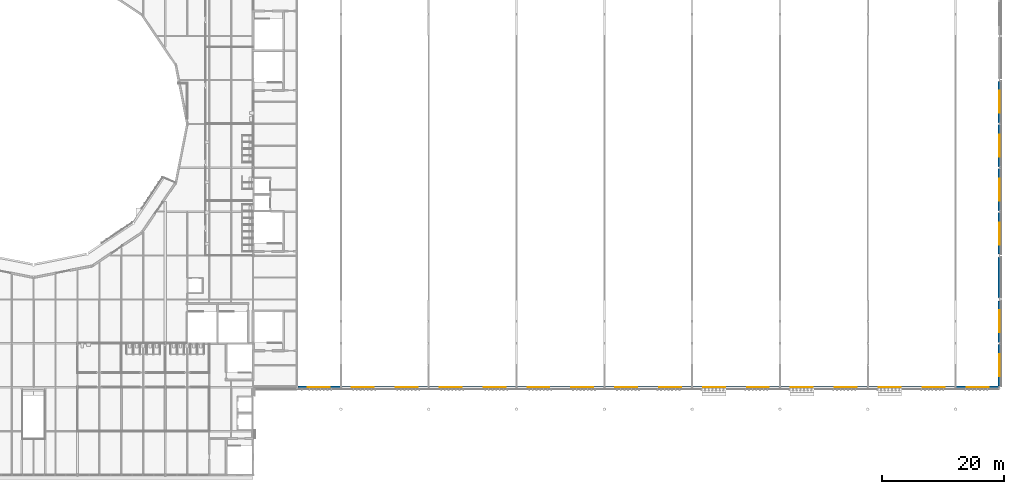
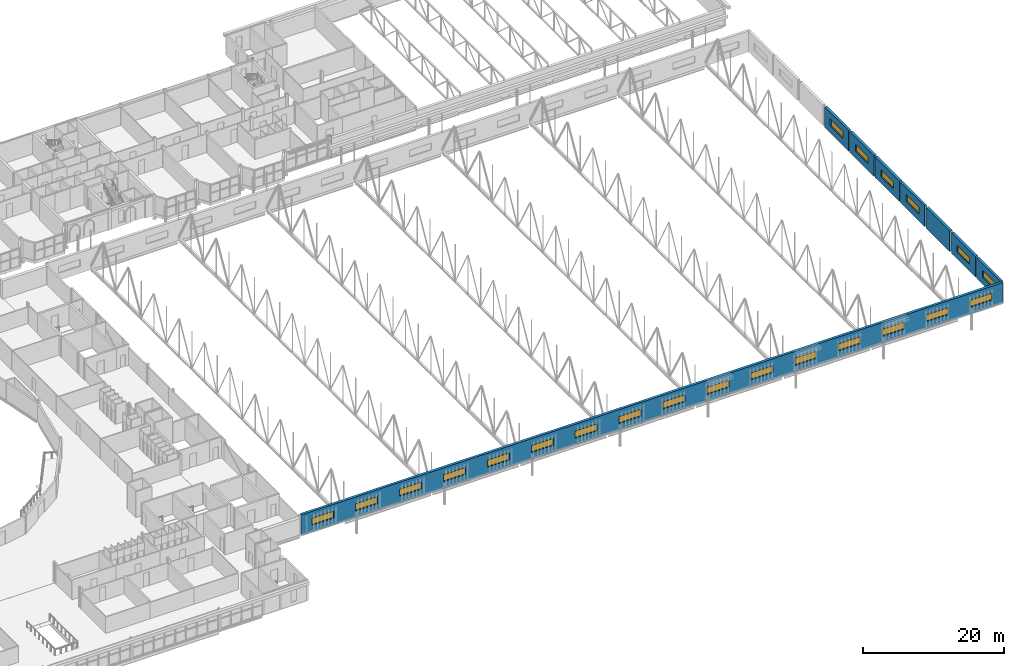
# One storey, part 101 of 142: 22 windows, 8 walls, 22 openings.
"""IFC4 building model written with IfcOpenShell, lengths in metres."""

from ifc_helpers import new_model, si_unit, direction, frame, frame_2d, origin, place, context, subcontext, project, spatial, rectangle, extrude, material, layer, layer_set, type_object, element, fill, save


model = new_model("IFC4")

# Units and contexts
model_context = context("Model", 3, precision=1e-05, world=origin(), true_north=direction((0.0, 1.0)))
body_context = subcontext(model_context, "Body", "Model", "MODEL_VIEW")
ifc_project = project(units=[si_unit("LENGTHUNIT", "METRE"), si_unit("AREAUNIT", "SQUARE_METRE"), si_unit("VOLUMEUNIT", "CUBIC_METRE"), si_unit("PLANEANGLEUNIT", "RADIAN"), si_unit("MASSUNIT", "GRAM", prefix="KILO")], contexts=[model_context])

# Site, building, storey
site_placement = place(None, origin())
site = spatial("IfcSite", under=ifc_project, at=site_placement, CompositionType="ELEMENT")
building_placement = place(site_placement, origin())
building = spatial("IfcBuilding", under=site, at=building_placement, Name="Kupolbacken Congress Centre", CompositionType="ELEMENT")
storey_placement = place(building_placement, frame((0.0, 0.0, 14.39990234375)))
storey = spatial("IfcBuildingStorey", under=building, at=storey_placement, Name="L04", CompositionType="ELEMENT", Elevation=14.39990234375)

# Wall, opening, window
ifc_material_1 = material(Name="Brick", Category="masonry")
ifc_layer_1 = layer(ifc_material_1, 0.10791015625)
ifc_material_2 = material(Name="Air cavity", Category="air")
ifc_layer_2 = layer(ifc_material_2, 0.0400390625, ventilated=True)
ifc_material_3 = material(Name="Mineral wool", Category="insulation")
ifc_layer_3 = layer(ifc_material_3, 0.152099609375)
ifc_material_4 = material(Name="Concrete block", Category="masonry")
ifc_layer_4 = layer(ifc_material_4, 0.1201171875)
ifc_layer_set = layer_set([ifc_layer_1, ifc_layer_2, ifc_layer_3, ifc_layer_4], Name="Brick / Mineral wool / Concrete block")
wall_type = type_object("IfcWallType", Name="EW04 external cavity wall 420", PredefinedType="SOLIDWALL", material=ifc_layer_set)
wall_1_placement = place(storey_placement, frame((201.60009765625, 43.409912109375, 0.0), z_axis=(0.0, 0.0, 1.0), x_axis=(0.0, 1.0, 0.0)))
wall_1 = element("IfcWall", 1, at=wall_1_placement, inside=storey, type_object=wall_type, Name="E/H/E/L04/428", PredefinedType="SOLIDWALL", context=body_context, shape_type="SweptSolid", body=[
    extrude(rectangle(XDim=6.844970703125, YDim=0.419921875, at=frame_2d((3.42236328125, 0.0))), origin(), (0.0, 0.0, 1.0), 3.60009765625),
])
opening_1_placement = place(wall_1_placement, frame((1.590087890625, 0.0, 1.199951171875)))
opening_1 = element("IfcOpeningElement", 2, at=opening_1_placement, cuts=wall_1, Name="Opening W12", PredefinedType="OPENING", context=body_context, shape_type="SweptSolid", body=[
    extrude(rectangle(XDim=3.60009765625, YDim=1.199951171875, at=frame_2d((1.800048828125, 0.60009765625))), frame((0.0, 0.219970703125, 0.0), z_axis=(0.0, -1.0, 0.0), x_axis=(1.0, 0.0, 0.0)), (0.0, 0.0, 1.0), 0.43994140625),
])
ifc_material_5 = material(Name="Aluminium frame with double or triple glazing", Category="aluminium")
window_type = type_object("IfcWindowType", Name="W12 window 3600x1200", PartitioningType="TRIPLE_PANEL_VERTICAL", PredefinedType="WINDOW", material=ifc_material_5)
window_1_placement = place(opening_1_placement, origin())
window_1 = element("IfcWindow", 3, at=window_1_placement, inside=storey, type_object=window_type, Name="E/H/E/L04/428/W1", OverallHeight=1.199951171875, OverallWidth=3.60009765625, PartitioningType="SINGLE_PANEL", PredefinedType="WINDOW", context=body_context, shape_type="SweptSolid", body=[
    extrude(rectangle(XDim=3.60009765625, YDim=1.199951171875, at=frame_2d((1.800048828125, 0.60009765625))), frame((0.0, 0.030029296875, 0.0), z_axis=(0.0, -1.0, 0.0), x_axis=(1.0, 0.0, 0.0)), (0.0, 0.0, 1.0), 0.06005859375),
])
fill(opening_1, window_1)

wall_2_placement = place(storey_placement, frame((201.60009765625, 50.544921875, 0.0), z_axis=(0.0, 0.0, 1.0), x_axis=(0.0, 1.0, 0.0)))
wall_2 = element("IfcWall", 4, at=wall_2_placement, inside=storey, type_object=wall_type, Name="E/H/E/L04/429", PredefinedType="SOLIDWALL", context=body_context, shape_type="SweptSolid", body=[
    extrude(rectangle(XDim=6.81005859375, YDim=0.419921875, at=frame_2d((3.405029296875, 0.0))), origin(), (0.0, 0.0, 1.0), 3.60009765625),
])
opening_2_placement = place(wall_2_placement, frame((1.655029296875, 0.0, 1.199951171875)))
opening_2 = element("IfcOpeningElement", 5, at=opening_2_placement, cuts=wall_2, Name="Opening W12", PredefinedType="OPENING", context=body_context, shape_type="SweptSolid", body=[
    extrude(rectangle(XDim=3.60009765625, YDim=1.199951171875, at=frame_2d((1.800048828125, 0.60009765625))), frame((0.0, 0.219970703125, 0.0), z_axis=(0.0, -1.0, 0.0), x_axis=(1.0, 0.0, 0.0)), (0.0, 0.0, 1.0), 0.43994140625),
])
window_2_placement = place(opening_2_placement, origin())
window_2 = element("IfcWindow", 6, at=window_2_placement, inside=storey, type_object=window_type, Name="E/H/E/L04/429/W1", OverallHeight=1.199951171875, OverallWidth=3.60009765625, PartitioningType="SINGLE_PANEL", PredefinedType="WINDOW", context=body_context, shape_type="SweptSolid", body=[
    extrude(rectangle(XDim=3.60009765625, YDim=1.199951171875, at=frame_2d((1.800048828125, 0.60009765625))), frame((0.0, 0.030029296875, 0.0), z_axis=(0.0, -1.0, 0.0), x_axis=(1.0, 0.0, 0.0)), (0.0, 0.0, 1.0), 0.06005859375),
])
fill(opening_2, window_2)

# Wall
wall_3_placement = place(storey_placement, frame((201.60009765625, 57.844970703125, 0.0), z_axis=(0.0, 0.0, 1.0), x_axis=(0.0, 1.0, 0.0)))
element("IfcWall", 7, at=wall_3_placement, inside=storey, type_object=wall_type, Name="E/H/E/L04/430", PredefinedType="SOLIDWALL", context=body_context, shape_type="SweptSolid", body=[
    extrude(rectangle(XDim=6.7099609375, YDim=0.419921875, at=frame_2d((3.35498046875, 0.0))), origin(), (0.0, 0.0, 1.0), 3.60009765625),
])

# Wall, opening, window
wall_4_placement = place(storey_placement, frame((201.60009765625, 65.044921875, 0.0), z_axis=(0.0, 0.0, 1.0), x_axis=(0.0, 1.0, 0.0)))
wall_4 = element("IfcWall", 8, at=wall_4_placement, inside=storey, type_object=wall_type, Name="E/H/E/L04/431", PredefinedType="SOLIDWALL", context=body_context, shape_type="SweptSolid", body=[
    extrude(rectangle(XDim=6.81005859375, YDim=0.419921875, at=frame_2d((3.405029296875, 0.0))), origin(), (0.0, 0.0, 1.0), 3.60009765625),
])
opening_3_placement = place(wall_4_placement, frame((1.554931640625, 0.0, 1.199951171875)))
opening_3 = element("IfcOpeningElement", 9, at=opening_3_placement, cuts=wall_4, Name="Opening W12", PredefinedType="OPENING", context=body_context, shape_type="SweptSolid", body=[
    extrude(rectangle(XDim=3.60009765625, YDim=1.199951171875, at=frame_2d((1.800048828125, 0.60009765625))), frame((0.0, 0.219970703125, 0.0), z_axis=(0.0, -1.0, 0.0), x_axis=(1.0, 0.0, 0.0)), (0.0, 0.0, 1.0), 0.43994140625),
])
window_3_placement = place(opening_3_placement, origin())
window_3 = element("IfcWindow", 10, at=window_3_placement, inside=storey, type_object=window_type, Name="E/H/E/L04/431/W1", OverallHeight=1.199951171875, OverallWidth=3.60009765625, PartitioningType="SINGLE_PANEL", PredefinedType="WINDOW", context=body_context, shape_type="SweptSolid", body=[
    extrude(rectangle(XDim=3.60009765625, YDim=1.199951171875, at=frame_2d((1.800048828125, 0.60009765625))), frame((0.0, 0.030029296875, 0.0), z_axis=(0.0, -1.0, 0.0), x_axis=(1.0, 0.0, 0.0)), (0.0, 0.0, 1.0), 0.06005859375),
])
fill(opening_3, window_3)

wall_5_placement = place(storey_placement, frame((201.60009765625, 72.14501953125, 0.0), z_axis=(0.0, 0.0, 1.0), x_axis=(0.0, 1.0, 0.0)))
wall_5 = element("IfcWall", 11, at=wall_5_placement, inside=storey, type_object=wall_type, Name="E/H/E/L04/432", PredefinedType="SOLIDWALL", context=body_context, shape_type="SweptSolid", body=[
    extrude(rectangle(XDim=6.909912109375, YDim=0.419921875, at=frame_2d((3.455078125, 0.0))), origin(), (0.0, 0.0, 1.0), 3.60009765625),
])
opening_4_placement = place(wall_5_placement, frame((1.655029296875, 0.0, 1.199951171875)))
opening_4 = element("IfcOpeningElement", 12, at=opening_4_placement, cuts=wall_5, Name="Opening W12", PredefinedType="OPENING", context=body_context, shape_type="SweptSolid", body=[
    extrude(rectangle(XDim=3.60009765625, YDim=1.199951171875, at=frame_2d((1.800048828125, 0.60009765625))), frame((0.0, 0.219970703125, 0.0), z_axis=(0.0, -1.0, 0.0), x_axis=(1.0, 0.0, 0.0)), (0.0, 0.0, 1.0), 0.43994140625),
])
window_4_placement = place(opening_4_placement, origin())
window_4 = element("IfcWindow", 13, at=window_4_placement, inside=storey, type_object=window_type, Name="E/H/E/L04/432/W1", OverallHeight=1.199951171875, OverallWidth=3.60009765625, PartitioningType="SINGLE_PANEL", PredefinedType="WINDOW", context=body_context, shape_type="SweptSolid", body=[
    extrude(rectangle(XDim=3.60009765625, YDim=1.199951171875, at=frame_2d((1.800048828125, 0.60009765625))), frame((0.0, 0.030029296875, 0.0), z_axis=(0.0, -1.0, 0.0), x_axis=(1.0, 0.0, 0.0)), (0.0, 0.0, 1.0), 0.06005859375),
])
fill(opening_4, window_4)

wall_6_placement = place(storey_placement, frame((201.60009765625, 79.344970703125, 0.0), z_axis=(0.0, 0.0, 1.0), x_axis=(0.0, 1.0, 0.0)))
wall_6 = element("IfcWall", 14, at=wall_6_placement, inside=storey, type_object=wall_type, Name="E/H/E/L04/433", PredefinedType="SOLIDWALL", context=body_context, shape_type="SweptSolid", body=[
    extrude(rectangle(XDim=6.909912109375, YDim=0.419921875, at=frame_2d((3.455078125, 0.0))), origin(), (0.0, 0.0, 1.0), 3.60009765625),
])
opening_5_placement = place(wall_6_placement, frame((1.655029296875, 0.0, 1.199951171875)))
opening_5 = element("IfcOpeningElement", 15, at=opening_5_placement, cuts=wall_6, Name="Opening W12", PredefinedType="OPENING", context=body_context, shape_type="SweptSolid", body=[
    extrude(rectangle(XDim=3.60009765625, YDim=1.199951171875, at=frame_2d((1.800048828125, 0.60009765625))), frame((0.0, 0.219970703125, 0.0), z_axis=(0.0, -1.0, 0.0), x_axis=(1.0, 0.0, 0.0)), (0.0, 0.0, 1.0), 0.43994140625),
])
window_5_placement = place(opening_5_placement, origin())
window_5 = element("IfcWindow", 16, at=window_5_placement, inside=storey, type_object=window_type, Name="E/H/E/L04/433/W1", OverallHeight=1.199951171875, OverallWidth=3.60009765625, PartitioningType="SINGLE_PANEL", PredefinedType="WINDOW", context=body_context, shape_type="SweptSolid", body=[
    extrude(rectangle(XDim=3.60009765625, YDim=1.199951171875, at=frame_2d((1.800048828125, 0.60009765625))), frame((0.0, 0.030029296875, 0.0), z_axis=(0.0, -1.0, 0.0), x_axis=(1.0, 0.0, 0.0)), (0.0, 0.0, 1.0), 0.06005859375),
])
fill(opening_5, window_5)

wall_7_placement = place(storey_placement, frame((201.60009765625, 86.544921875, 0.0), z_axis=(0.0, 0.0, 1.0), x_axis=(0.0, 1.0, 0.0)))
wall_7 = element("IfcWall", 17, at=wall_7_placement, inside=storey, type_object=wall_type, Name="E/H/E/L04/434", PredefinedType="SOLIDWALL", context=body_context, shape_type="SweptSolid", body=[
    extrude(rectangle(XDim=6.81005859375, YDim=0.419921875, at=frame_2d((3.405029296875, 0.0))), origin(), (0.0, 0.0, 1.0), 3.60009765625),
])
opening_6_placement = place(wall_7_placement, frame((1.655029296875, 0.0, 1.199951171875)))
opening_6 = element("IfcOpeningElement", 18, at=opening_6_placement, cuts=wall_7, Name="Opening W12", PredefinedType="OPENING", context=body_context, shape_type="SweptSolid", body=[
    extrude(rectangle(XDim=3.60009765625, YDim=1.199951171875, at=frame_2d((1.800048828125, 0.60009765625))), frame((0.0, 0.219970703125, 0.0), z_axis=(0.0, -1.0, 0.0), x_axis=(1.0, 0.0, 0.0)), (0.0, 0.0, 1.0), 0.43994140625),
])
window_6_placement = place(opening_6_placement, origin())
window_6 = element("IfcWindow", 19, at=window_6_placement, inside=storey, type_object=window_type, Name="E/H/E/L04/434/W1", OverallHeight=1.199951171875, OverallWidth=3.60009765625, PartitioningType="SINGLE_PANEL", PredefinedType="WINDOW", context=body_context, shape_type="SweptSolid", body=[
    extrude(rectangle(XDim=3.60009765625, YDim=1.199951171875, at=frame_2d((1.800048828125, 0.60009765625))), frame((0.0, 0.030029296875, 0.0), z_axis=(0.0, -1.0, 0.0), x_axis=(1.0, 0.0, 0.0)), (0.0, 0.0, 1.0), 0.06005859375),
])
fill(opening_6, window_6)

# Wall, openings, windows
wall_8_placement = place(storey_placement, frame((86.550048828125, 43.199951171875, 0.0), z_axis=(0.0, 0.0, 1.0), x_axis=(1.0, 0.0, 0.0)))
wall_8 = element("IfcWall", 20, at=wall_8_placement, inside=storey, type_object=wall_type, Name="E/H/S/L04/439", PredefinedType="SOLIDWALL", context=body_context, shape_type="SweptSolid", body=[
    extrude(rectangle(XDim=114.89990234375, YDim=0.419921875, at=frame_2d((57.449951171875, 0.0))), origin(), (0.0, 0.0, 1.0), 3.60009765625),
])
opening_7_placement = place(wall_8_placement, frame((1.64990234375, 0.0, 1.199951171875)))
opening_7 = element("IfcOpeningElement", 21, at=opening_7_placement, cuts=wall_8, Name="Opening W12", PredefinedType="OPENING", context=body_context, shape_type="SweptSolid", body=[
    extrude(rectangle(XDim=3.60009765625, YDim=1.199951171875, at=frame_2d((1.800048828125, 0.60009765625))), frame((0.0, 0.219970703125, 0.0), z_axis=(0.0, -1.0, 0.0), x_axis=(1.0, 0.0, 0.0)), (0.0, 0.0, 1.0), 0.43994140625),
])
opening_8_placement = place(wall_8_placement, frame((8.85009765625, 0.0, 1.199951171875)))
opening_8 = element("IfcOpeningElement", 22, at=opening_8_placement, cuts=wall_8, Name="Opening W12", PredefinedType="OPENING", context=body_context, shape_type="SweptSolid", body=[
    extrude(rectangle(XDim=3.60009765625, YDim=1.199951171875, at=frame_2d((1.800048828125, 0.60009765625))), frame((0.0, 0.219970703125, 0.0), z_axis=(0.0, -1.0, 0.0), x_axis=(1.0, 0.0, 0.0)), (0.0, 0.0, 1.0), 0.43994140625),
])
opening_9_placement = place(wall_8_placement, frame((16.050048828125, 0.0, 1.199951171875)))
opening_9 = element("IfcOpeningElement", 23, at=opening_9_placement, cuts=wall_8, Name="Opening W12", PredefinedType="OPENING", context=body_context, shape_type="SweptSolid", body=[
    extrude(rectangle(XDim=3.60009765625, YDim=1.199951171875, at=frame_2d((1.800048828125, 0.60009765625))), frame((0.0, 0.219970703125, 0.0), z_axis=(0.0, -1.0, 0.0), x_axis=(1.0, 0.0, 0.0)), (0.0, 0.0, 1.0), 0.43994140625),
])
opening_10_placement = place(wall_8_placement, frame((23.25, 0.0, 1.199951171875)))
opening_10 = element("IfcOpeningElement", 24, at=opening_10_placement, cuts=wall_8, Name="Opening W12", PredefinedType="OPENING", context=body_context, shape_type="SweptSolid", body=[
    extrude(rectangle(XDim=3.60009765625, YDim=1.199951171875, at=frame_2d((1.800048828125, 0.60009765625))), frame((0.0, 0.219970703125, 0.0), z_axis=(0.0, -1.0, 0.0), x_axis=(1.0, 0.0, 0.0)), (0.0, 0.0, 1.0), 0.43994140625),
])
opening_11_placement = place(wall_8_placement, frame((30.449951171875, 0.0, 1.199951171875)))
opening_11 = element("IfcOpeningElement", 25, at=opening_11_placement, cuts=wall_8, Name="Opening W12", PredefinedType="OPENING", context=body_context, shape_type="SweptSolid", body=[
    extrude(rectangle(XDim=3.60009765625, YDim=1.199951171875, at=frame_2d((1.800048828125, 0.60009765625))), frame((0.0, 0.219970703125, 0.0), z_axis=(0.0, -1.0, 0.0), x_axis=(1.0, 0.0, 0.0)), (0.0, 0.0, 1.0), 0.43994140625),
])
opening_12_placement = place(wall_8_placement, frame((37.64990234375, 0.0, 1.199951171875)))
opening_12 = element("IfcOpeningElement", 26, at=opening_12_placement, cuts=wall_8, Name="Opening W12", PredefinedType="OPENING", context=body_context, shape_type="SweptSolid", body=[
    extrude(rectangle(XDim=3.60009765625, YDim=1.199951171875, at=frame_2d((1.800048828125, 0.60009765625))), frame((0.0, 0.219970703125, 0.0), z_axis=(0.0, -1.0, 0.0), x_axis=(1.0, 0.0, 0.0)), (0.0, 0.0, 1.0), 0.43994140625),
])
opening_13_placement = place(wall_8_placement, frame((44.85009765625, 0.0, 1.199951171875)))
opening_13 = element("IfcOpeningElement", 27, at=opening_13_placement, cuts=wall_8, Name="Opening W12", PredefinedType="OPENING", context=body_context, shape_type="SweptSolid", body=[
    extrude(rectangle(XDim=3.60009765625, YDim=1.199951171875, at=frame_2d((1.800048828125, 0.60009765625))), frame((0.0, 0.219970703125, 0.0), z_axis=(0.0, -1.0, 0.0), x_axis=(1.0, 0.0, 0.0)), (0.0, 0.0, 1.0), 0.43994140625),
])
opening_14_placement = place(wall_8_placement, frame((52.050048828125, 0.0, 1.199951171875)))
opening_14 = element("IfcOpeningElement", 28, at=opening_14_placement, cuts=wall_8, Name="Opening W12", PredefinedType="OPENING", context=body_context, shape_type="SweptSolid", body=[
    extrude(rectangle(XDim=3.60009765625, YDim=1.199951171875, at=frame_2d((1.800048828125, 0.60009765625))), frame((0.0, 0.219970703125, 0.0), z_axis=(0.0, -1.0, 0.0), x_axis=(1.0, 0.0, 0.0)), (0.0, 0.0, 1.0), 0.43994140625),
])
opening_15_placement = place(wall_8_placement, frame((59.25, 0.0, 1.199951171875)))
opening_15 = element("IfcOpeningElement", 29, at=opening_15_placement, cuts=wall_8, Name="Opening W12", PredefinedType="OPENING", context=body_context, shape_type="SweptSolid", body=[
    extrude(rectangle(XDim=3.60009765625, YDim=1.199951171875, at=frame_2d((1.800048828125, 0.60009765625))), frame((0.0, 0.219970703125, 0.0), z_axis=(0.0, -1.0, 0.0), x_axis=(1.0, 0.0, 0.0)), (0.0, 0.0, 1.0), 0.43994140625),
])
opening_16_placement = place(wall_8_placement, frame((66.449951171875, 0.0, 1.199951171875)))
opening_16 = element("IfcOpeningElement", 30, at=opening_16_placement, cuts=wall_8, Name="Opening W12", PredefinedType="OPENING", context=body_context, shape_type="SweptSolid", body=[
    extrude(rectangle(XDim=3.60009765625, YDim=1.199951171875, at=frame_2d((1.800048828125, 0.60009765625))), frame((0.0, 0.219970703125, 0.0), z_axis=(0.0, -1.0, 0.0), x_axis=(1.0, 0.0, 0.0)), (0.0, 0.0, 1.0), 0.43994140625),
])
opening_17_placement = place(wall_8_placement, frame((73.64990234375, 0.0, 1.199951171875)))
opening_17 = element("IfcOpeningElement", 31, at=opening_17_placement, cuts=wall_8, Name="Opening W12", PredefinedType="OPENING", context=body_context, shape_type="SweptSolid", body=[
    extrude(rectangle(XDim=3.60009765625, YDim=1.199951171875, at=frame_2d((1.800048828125, 0.60009765625))), frame((0.0, 0.219970703125, 0.0), z_axis=(0.0, -1.0, 0.0), x_axis=(1.0, 0.0, 0.0)), (0.0, 0.0, 1.0), 0.43994140625),
])
opening_18_placement = place(wall_8_placement, frame((80.85009765625, 0.0, 1.199951171875)))
opening_18 = element("IfcOpeningElement", 32, at=opening_18_placement, cuts=wall_8, Name="Opening W12", PredefinedType="OPENING", context=body_context, shape_type="SweptSolid", body=[
    extrude(rectangle(XDim=3.60009765625, YDim=1.199951171875, at=frame_2d((1.800048828125, 0.60009765625))), frame((0.0, 0.219970703125, 0.0), z_axis=(0.0, -1.0, 0.0), x_axis=(1.0, 0.0, 0.0)), (0.0, 0.0, 1.0), 0.43994140625),
])
opening_19_placement = place(wall_8_placement, frame((88.050048828125, 0.0, 1.199951171875)))
opening_19 = element("IfcOpeningElement", 33, at=opening_19_placement, cuts=wall_8, Name="Opening W12", PredefinedType="OPENING", context=body_context, shape_type="SweptSolid", body=[
    extrude(rectangle(XDim=3.60009765625, YDim=1.199951171875, at=frame_2d((1.800048828125, 0.60009765625))), frame((0.0, 0.219970703125, 0.0), z_axis=(0.0, -1.0, 0.0), x_axis=(1.0, 0.0, 0.0)), (0.0, 0.0, 1.0), 0.43994140625),
])
opening_20_placement = place(wall_8_placement, frame((95.25, 0.0, 1.199951171875)))
opening_20 = element("IfcOpeningElement", 34, at=opening_20_placement, cuts=wall_8, Name="Opening W12", PredefinedType="OPENING", context=body_context, shape_type="SweptSolid", body=[
    extrude(rectangle(XDim=3.60009765625, YDim=1.199951171875, at=frame_2d((1.800048828125, 0.60009765625))), frame((0.0, 0.219970703125, 0.0), z_axis=(0.0, -1.0, 0.0), x_axis=(1.0, 0.0, 0.0)), (0.0, 0.0, 1.0), 0.43994140625),
])
opening_21_placement = place(wall_8_placement, frame((102.449951171875, 0.0, 1.199951171875)))
opening_21 = element("IfcOpeningElement", 35, at=opening_21_placement, cuts=wall_8, Name="Opening W12", PredefinedType="OPENING", context=body_context, shape_type="SweptSolid", body=[
    extrude(rectangle(XDim=3.60009765625, YDim=1.199951171875, at=frame_2d((1.800048828125, 0.60009765625))), frame((0.0, 0.219970703125, 0.0), z_axis=(0.0, -1.0, 0.0), x_axis=(1.0, 0.0, 0.0)), (0.0, 0.0, 1.0), 0.43994140625),
])
opening_22_placement = place(wall_8_placement, frame((109.64990234375, 0.0, 1.199951171875)))
opening_22 = element("IfcOpeningElement", 36, at=opening_22_placement, cuts=wall_8, Name="Opening W12", PredefinedType="OPENING", context=body_context, shape_type="SweptSolid", body=[
    extrude(rectangle(XDim=3.60009765625, YDim=1.199951171875, at=frame_2d((1.800048828125, 0.60009765625))), frame((0.0, 0.219970703125, 0.0), z_axis=(0.0, -1.0, 0.0), x_axis=(1.0, 0.0, 0.0)), (0.0, 0.0, 1.0), 0.43994140625),
])
window_7_placement = place(opening_7_placement, origin())
window_7 = element("IfcWindow", 37, at=window_7_placement, inside=storey, type_object=window_type, Name="E/H/S/L04/439/W1", OverallHeight=1.199951171875, OverallWidth=3.60009765625, PartitioningType="SINGLE_PANEL", PredefinedType="WINDOW", context=body_context, shape_type="SweptSolid", body=[
    extrude(rectangle(XDim=3.60009765625, YDim=1.199951171875, at=frame_2d((1.800048828125, 0.60009765625))), frame((0.0, 0.030029296875, 0.0), z_axis=(0.0, -1.0, 0.0), x_axis=(1.0, 0.0, 0.0)), (0.0, 0.0, 1.0), 0.06005859375),
])
fill(opening_7, window_7)
window_8_placement = place(opening_8_placement, origin())
window_8 = element("IfcWindow", 38, at=window_8_placement, inside=storey, type_object=window_type, Name="E/H/S/L04/439/W2", OverallHeight=1.199951171875, OverallWidth=3.60009765625, PartitioningType="SINGLE_PANEL", PredefinedType="WINDOW", context=body_context, shape_type="SweptSolid", body=[
    extrude(rectangle(XDim=3.60009765625, YDim=1.199951171875, at=frame_2d((1.800048828125, 0.60009765625))), frame((0.0, 0.030029296875, 0.0), z_axis=(0.0, -1.0, 0.0), x_axis=(1.0, 0.0, 0.0)), (0.0, 0.0, 1.0), 0.06005859375),
])
fill(opening_8, window_8)
window_9_placement = place(opening_9_placement, origin())
window_9 = element("IfcWindow", 39, at=window_9_placement, inside=storey, type_object=window_type, Name="E/H/S/L04/439/W3", OverallHeight=1.199951171875, OverallWidth=3.60009765625, PartitioningType="SINGLE_PANEL", PredefinedType="WINDOW", context=body_context, shape_type="SweptSolid", body=[
    extrude(rectangle(XDim=3.60009765625, YDim=1.199951171875, at=frame_2d((1.800048828125, 0.60009765625))), frame((0.0, 0.030029296875, 0.0), z_axis=(0.0, -1.0, 0.0), x_axis=(1.0, 0.0, 0.0)), (0.0, 0.0, 1.0), 0.06005859375),
])
fill(opening_9, window_9)
window_10_placement = place(opening_10_placement, origin())
window_10 = element("IfcWindow", 40, at=window_10_placement, inside=storey, type_object=window_type, Name="E/H/S/L04/439/W4", OverallHeight=1.199951171875, OverallWidth=3.60009765625, PartitioningType="SINGLE_PANEL", PredefinedType="WINDOW", context=body_context, shape_type="SweptSolid", body=[
    extrude(rectangle(XDim=3.60009765625, YDim=1.199951171875, at=frame_2d((1.800048828125, 0.60009765625))), frame((0.0, 0.030029296875, 0.0), z_axis=(0.0, -1.0, 0.0), x_axis=(1.0, 0.0, 0.0)), (0.0, 0.0, 1.0), 0.06005859375),
])
fill(opening_10, window_10)
window_11_placement = place(opening_11_placement, origin())
window_11 = element("IfcWindow", 41, at=window_11_placement, inside=storey, type_object=window_type, Name="E/H/S/L04/439/W5", OverallHeight=1.199951171875, OverallWidth=3.60009765625, PartitioningType="SINGLE_PANEL", PredefinedType="WINDOW", context=body_context, shape_type="SweptSolid", body=[
    extrude(rectangle(XDim=3.60009765625, YDim=1.199951171875, at=frame_2d((1.800048828125, 0.60009765625))), frame((0.0, 0.030029296875, 0.0), z_axis=(0.0, -1.0, 0.0), x_axis=(1.0, 0.0, 0.0)), (0.0, 0.0, 1.0), 0.06005859375),
])
fill(opening_11, window_11)
window_12_placement = place(opening_12_placement, origin())
window_12 = element("IfcWindow", 42, at=window_12_placement, inside=storey, type_object=window_type, Name="E/H/S/L04/439/W6", OverallHeight=1.199951171875, OverallWidth=3.60009765625, PartitioningType="SINGLE_PANEL", PredefinedType="WINDOW", context=body_context, shape_type="SweptSolid", body=[
    extrude(rectangle(XDim=3.60009765625, YDim=1.199951171875, at=frame_2d((1.800048828125, 0.60009765625))), frame((0.0, 0.030029296875, 0.0), z_axis=(0.0, -1.0, 0.0), x_axis=(1.0, 0.0, 0.0)), (0.0, 0.0, 1.0), 0.06005859375),
])
fill(opening_12, window_12)
window_13_placement = place(opening_13_placement, origin())
window_13 = element("IfcWindow", 43, at=window_13_placement, inside=storey, type_object=window_type, Name="E/H/S/L04/439/W7", OverallHeight=1.199951171875, OverallWidth=3.60009765625, PartitioningType="SINGLE_PANEL", PredefinedType="WINDOW", context=body_context, shape_type="SweptSolid", body=[
    extrude(rectangle(XDim=3.60009765625, YDim=1.199951171875, at=frame_2d((1.800048828125, 0.60009765625))), frame((0.0, 0.030029296875, 0.0), z_axis=(0.0, -1.0, 0.0), x_axis=(1.0, 0.0, 0.0)), (0.0, 0.0, 1.0), 0.06005859375),
])
fill(opening_13, window_13)
window_14_placement = place(opening_14_placement, origin())
window_14 = element("IfcWindow", 44, at=window_14_placement, inside=storey, type_object=window_type, Name="E/H/S/L04/439/W8", OverallHeight=1.199951171875, OverallWidth=3.60009765625, PartitioningType="SINGLE_PANEL", PredefinedType="WINDOW", context=body_context, shape_type="SweptSolid", body=[
    extrude(rectangle(XDim=3.60009765625, YDim=1.199951171875, at=frame_2d((1.800048828125, 0.60009765625))), frame((0.0, 0.030029296875, 0.0), z_axis=(0.0, -1.0, 0.0), x_axis=(1.0, 0.0, 0.0)), (0.0, 0.0, 1.0), 0.06005859375),
])
fill(opening_14, window_14)
window_15_placement = place(opening_15_placement, origin())
window_15 = element("IfcWindow", 45, at=window_15_placement, inside=storey, type_object=window_type, Name="E/H/S/L04/439/W9", OverallHeight=1.199951171875, OverallWidth=3.60009765625, PartitioningType="SINGLE_PANEL", PredefinedType="WINDOW", context=body_context, shape_type="SweptSolid", body=[
    extrude(rectangle(XDim=3.60009765625, YDim=1.199951171875, at=frame_2d((1.800048828125, 0.60009765625))), frame((0.0, 0.030029296875, 0.0), z_axis=(0.0, -1.0, 0.0), x_axis=(1.0, 0.0, 0.0)), (0.0, 0.0, 1.0), 0.06005859375),
])
fill(opening_15, window_15)
window_16_placement = place(opening_16_placement, origin())
window_16 = element("IfcWindow", 46, at=window_16_placement, inside=storey, type_object=window_type, Name="E/H/S/L04/439/W10", OverallHeight=1.199951171875, OverallWidth=3.60009765625, PartitioningType="SINGLE_PANEL", PredefinedType="WINDOW", context=body_context, shape_type="SweptSolid", body=[
    extrude(rectangle(XDim=3.60009765625, YDim=1.199951171875, at=frame_2d((1.800048828125, 0.60009765625))), frame((0.0, 0.030029296875, 0.0), z_axis=(0.0, -1.0, 0.0), x_axis=(1.0, 0.0, 0.0)), (0.0, 0.0, 1.0), 0.06005859375),
])
fill(opening_16, window_16)
window_17_placement = place(opening_17_placement, origin())
window_17 = element("IfcWindow", 47, at=window_17_placement, inside=storey, type_object=window_type, Name="E/H/S/L04/439/W11", OverallHeight=1.199951171875, OverallWidth=3.60009765625, PartitioningType="SINGLE_PANEL", PredefinedType="WINDOW", context=body_context, shape_type="SweptSolid", body=[
    extrude(rectangle(XDim=3.60009765625, YDim=1.199951171875, at=frame_2d((1.800048828125, 0.60009765625))), frame((0.0, 0.030029296875, 0.0), z_axis=(0.0, -1.0, 0.0), x_axis=(1.0, 0.0, 0.0)), (0.0, 0.0, 1.0), 0.06005859375),
])
fill(opening_17, window_17)
window_18_placement = place(opening_18_placement, origin())
window_18 = element("IfcWindow", 48, at=window_18_placement, inside=storey, type_object=window_type, Name="E/H/S/L04/439/W12", OverallHeight=1.199951171875, OverallWidth=3.60009765625, PartitioningType="SINGLE_PANEL", PredefinedType="WINDOW", context=body_context, shape_type="SweptSolid", body=[
    extrude(rectangle(XDim=3.60009765625, YDim=1.199951171875, at=frame_2d((1.800048828125, 0.60009765625))), frame((0.0, 0.030029296875, 0.0), z_axis=(0.0, -1.0, 0.0), x_axis=(1.0, 0.0, 0.0)), (0.0, 0.0, 1.0), 0.06005859375),
])
fill(opening_18, window_18)
window_19_placement = place(opening_19_placement, origin())
window_19 = element("IfcWindow", 49, at=window_19_placement, inside=storey, type_object=window_type, Name="E/H/S/L04/439/W13", OverallHeight=1.199951171875, OverallWidth=3.60009765625, PartitioningType="SINGLE_PANEL", PredefinedType="WINDOW", context=body_context, shape_type="SweptSolid", body=[
    extrude(rectangle(XDim=3.60009765625, YDim=1.199951171875, at=frame_2d((1.800048828125, 0.60009765625))), frame((0.0, 0.030029296875, 0.0), z_axis=(0.0, -1.0, 0.0), x_axis=(1.0, 0.0, 0.0)), (0.0, 0.0, 1.0), 0.06005859375),
])
fill(opening_19, window_19)
window_20_placement = place(opening_20_placement, origin())
window_20 = element("IfcWindow", 50, at=window_20_placement, inside=storey, type_object=window_type, Name="E/H/S/L04/439/W14", OverallHeight=1.199951171875, OverallWidth=3.60009765625, PartitioningType="SINGLE_PANEL", PredefinedType="WINDOW", context=body_context, shape_type="SweptSolid", body=[
    extrude(rectangle(XDim=3.60009765625, YDim=1.199951171875, at=frame_2d((1.800048828125, 0.60009765625))), frame((0.0, 0.030029296875, 0.0), z_axis=(0.0, -1.0, 0.0), x_axis=(1.0, 0.0, 0.0)), (0.0, 0.0, 1.0), 0.06005859375),
])
fill(opening_20, window_20)
window_21_placement = place(opening_21_placement, origin())
window_21 = element("IfcWindow", 51, at=window_21_placement, inside=storey, type_object=window_type, Name="E/H/S/L04/439/W15", OverallHeight=1.199951171875, OverallWidth=3.60009765625, PartitioningType="SINGLE_PANEL", PredefinedType="WINDOW", context=body_context, shape_type="SweptSolid", body=[
    extrude(rectangle(XDim=3.60009765625, YDim=1.199951171875, at=frame_2d((1.800048828125, 0.60009765625))), frame((0.0, 0.030029296875, 0.0), z_axis=(0.0, -1.0, 0.0), x_axis=(1.0, 0.0, 0.0)), (0.0, 0.0, 1.0), 0.06005859375),
])
fill(opening_21, window_21)
window_22_placement = place(opening_22_placement, origin())
window_22 = element("IfcWindow", 52, at=window_22_placement, inside=storey, type_object=window_type, Name="E/H/S/L04/439/W16", OverallHeight=1.199951171875, OverallWidth=3.60009765625, PartitioningType="SINGLE_PANEL", PredefinedType="WINDOW", context=body_context, shape_type="SweptSolid", body=[
    extrude(rectangle(XDim=3.60009765625, YDim=1.199951171875, at=frame_2d((1.800048828125, 0.60009765625))), frame((0.0, 0.030029296875, 0.0), z_axis=(0.0, -1.0, 0.0), x_axis=(1.0, 0.0, 0.0)), (0.0, 0.0, 1.0), 0.06005859375),
])
fill(opening_22, window_22)

save(model, "model.ifc")
